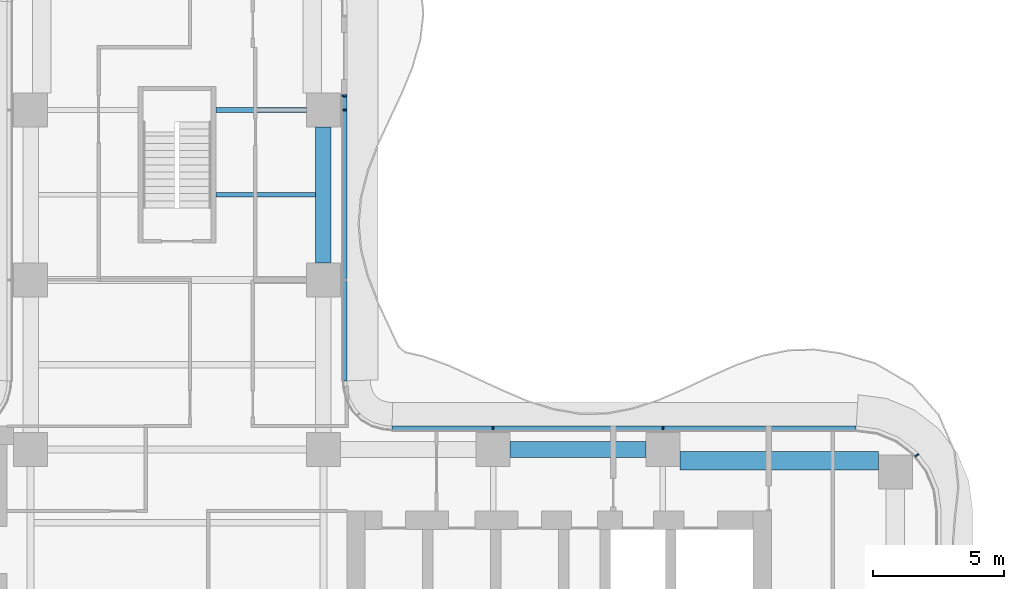
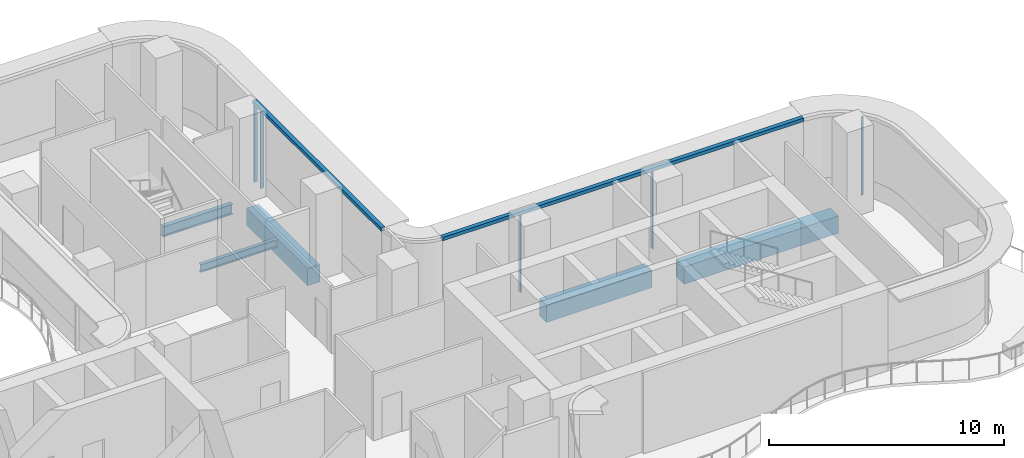
# One storey, part 10 of 20: 7 members, 5 beams, 3 elements without a shape of their own.
"""IFC4 building model written with IfcOpenShell, lengths in metres."""

from ifc_helpers import new_model, si_unit, direction, frame, origin, origin_2d, place, context, subcontext, project, spatial, polyline, rectangle, i_section, outline, extrude, source, transform, mapped, material, layer, layer_set, material_profile, profile_set, type_object, element, aggregate, save


model = new_model("IFC4")

# Units and contexts
model_context = context("Model", 3, precision=1e-05, world=origin(), true_north=direction((0.0, 1.0)))
body_context = subcontext(model_context, "Body", "Model", "MODEL_VIEW")
ifc_project = project(units=[si_unit("LENGTHUNIT", "METRE"), si_unit("AREAUNIT", "SQUARE_METRE"), si_unit("VOLUMEUNIT", "CUBIC_METRE"), si_unit("PLANEANGLEUNIT", "RADIAN"), si_unit("MASSUNIT", "GRAM", prefix="KILO")], contexts=[model_context])

# Site, building, storey
site_placement = place(None, origin())
site = spatial("IfcSite", under=ifc_project, at=site_placement, CompositionType="ELEMENT")
building_placement = place(site_placement, origin())
building = spatial("IfcBuilding", under=site, at=building_placement, Name="Trellis Farm Tower", CompositionType="ELEMENT")
storey_placement = place(building_placement, frame((0.0, 0.0, 129.0)))
storey = spatial("IfcBuildingStorey", under=building, at=storey_placement, Name="L27", CompositionType="ELEMENT", Elevation=129.0)

# Beams
ifc_material_1 = material(Name="Steel S355", Category="steel")
ifc_material_profile_1 = material_profile(ifc_material_1, i_section(OverallWidth=0.177978515625, OverallDepth=0.406494140625, WebThickness=0.0078125, FlangeThickness=0.0126953125, FilletRadius=0.01025390625, at=origin_2d()), Name="UB 406x178x60")
ifc_profile_set_1 = profile_set([ifc_material_profile_1], Name="Steel S355")
beam_type_1 = type_object("IfcBeamType", Name="UB 406x178x60 joist", PredefinedType="JOIST", material=ifc_profile_set_1)
shared_shape_1 = source(origin(), body_context, "Body", "SweptSolid", [
    extrude(i_section(OverallWidth=0.177978515625, OverallDepth=0.406494140625, WebThickness=0.0078125, FlangeThickness=0.0126953125, FilletRadius=0.01025390625, at=origin_2d()), origin(), (0.0, 0.0, 1.0), 3.800048828125),
])
beam_1_placement = place(storey_placement, frame((1.5, 15.35009765625, -0.453125), z_axis=(1.0, 0.0, 0.0), x_axis=(0.0, 1.0, 0.0)))
element("IfcBeam", 1, at=beam_1_placement, inside=storey, type_object=beam_type_1, Name="Floor beam", PredefinedType="JOIST", context=body_context, shape_type="MappedRepresentation", body=[
    mapped(shared_shape_1, transform((0.0, 0.0, 0.0))),
])
ifc_material_profile_2 = material_profile(ifc_material_1, i_section(OverallWidth=0.209228515625, OverallDepth=0.533203125, WebThickness=0.010009765625, FlangeThickness=0.015625, FilletRadius=0.0126953125, at=origin_2d()), Name="UB 533x210x92")
ifc_profile_set_2 = profile_set([ifc_material_profile_2], Name="Steel S355")
beam_type_2 = type_object("IfcBeamType", Name="UB 533x210x92", PredefinedType="BEAM", material=ifc_profile_set_2)
shared_shape_2 = source(origin(), body_context, "Body", "SweptSolid", [
    extrude(i_section(OverallWidth=0.209228515625, OverallDepth=0.533203125, WebThickness=0.010009765625, FlangeThickness=0.015625, FilletRadius=0.0126953125, at=origin_2d()), origin(), (0.0, 0.0, 1.0), 3.449951171875),
])
beam_2_placement = place(storey_placement, frame((1.5, 18.60009765625, -0.5166015625), z_axis=(1.0, 0.0, 0.0), x_axis=(0.0, 1.0, 0.0)))
element("IfcBeam", 2, at=beam_2_placement, inside=storey, type_object=beam_type_2, Name="Girder", PredefinedType="BEAM", context=body_context, shape_type="MappedRepresentation", body=[
    mapped(shared_shape_2, transform((0.0, 0.0, 0.0))),
])
ifc_material_2 = material(Name="Concrete C60/75", Category="concrete")
ifc_material_profile_3 = material_profile(ifc_material_2, rectangle(XDim=0.60009765625, YDim=0.89990234375, at=origin_2d()), Name="RC spandrel beam 600x900 C60/75")
ifc_profile_set_3 = profile_set([ifc_material_profile_3], Name="Concrete C60/75")
beam_type_3 = type_object("IfcBeamType", Name="RC spandrel beam 600x900 C60/75", PredefinedType="SPANDREL", material=ifc_profile_set_3)
shared_shape_3 = source(origin(), body_context, "Body", "SweptSolid", [
    extrude(rectangle(XDim=0.60009765625, YDim=0.89990234375, at=origin_2d()), origin(), (0.0, 0.0, 1.0), 5.199951171875),
])
for number, where, z_axis, x_axis, name in (
    (3, (12.75, 5.60009765625, -0.699951171875), (1.0, 0.0, 0.0), (0.0, 1.0, 0.0), "Girder"),
    (4, (5.60009765625, 12.75, -0.699951171875), (0.0, 1.0, 0.0), (-1.0, 0.0, 0.0), "Girder"),
):
    element("IfcBeam", number, at=place(storey_placement, frame(where, z_axis=z_axis, x_axis=x_axis)), inside=storey, type_object=beam_type_3, Name=name, PredefinedType="SPANDREL", context=body_context, shape_type="MappedRepresentation", body=[
        mapped(shared_shape_3, transform((0.0, 0.0, 0.0))),
    ])
ifc_material_profile_4 = material_profile(ifc_material_2, rectangle(XDim=0.699951171875, YDim=0.89990234375, at=origin_2d()), Name="RC spandrel beam 700x900 C60/75")
ifc_profile_set_4 = profile_set([ifc_material_profile_4], Name="Concrete C60/75")
beam_type_4 = type_object("IfcBeamType", Name="RC spandrel beam 700x900 C60/75", PredefinedType="SPANDREL", material=ifc_profile_set_4)
shared_shape_4 = source(origin(), body_context, "Body", "SweptSolid", [
    extrude(rectangle(XDim=0.699951171875, YDim=0.89990234375, at=origin_2d()), origin(), (0.0, 0.0, 1.0), 7.60009765625),
])
beam_3_placement = place(storey_placement, frame((19.25, 5.175048828125, -0.699951171875), z_axis=(1.0, 0.0, 0.0), x_axis=(0.0, 1.0, 0.0)))
element("IfcBeam", 5, at=beam_3_placement, inside=storey, type_object=beam_type_4, Name="Girder", PredefinedType="SPANDREL", context=body_context, shape_type="MappedRepresentation", body=[
    mapped(shared_shape_4, transform((0.0, 0.0, 0.0))),
])

# Curtain wall, member
ifc_material_3 = material(Name="Aluminium and glass curtain wall", Category="aluminium")
ifc_layer_1 = layer(ifc_material_3, 0.18994140625)
ifc_layer_set_1 = layer_set([ifc_layer_1], Name="RIBBON CURTAIN WALL CW1")
curtain_wall_type = type_object("IfcCurtainWallType", Name="RIBBON CURTAIN WALL CW1", PredefinedType="NOTDEFINED", material=ifc_layer_set_1)
placement_1 = place(storey_placement, origin())
curtain_wall_1 = element("IfcCurtainWall", 6, at=placement_1, inside=storey, type_object=curtain_wall_type, Name="CW1 006", PredefinedType="NOTDEFINED")
ifc_material_4 = material(Name="Aluminium extrusion 6063-T6", Category="aluminium")
ifc_material_profile_5 = material_profile(ifc_material_4, rectangle(XDim=0.06005859375, YDim=0.14990234375, at=origin_2d()), Name="MULLION 60x150")
ifc_profile_set_5 = profile_set([ifc_material_profile_5], Name="Aluminium extrusion 6063-T6")
member_type_1 = type_object("IfcMemberType", Name="CW1 MULLION 60x150", PredefinedType="MULLION", material=ifc_profile_set_5)
shared_shape_5 = source(origin(), body_context, "Body", "SweptSolid", [
    extrude(rectangle(XDim=0.06005859375, YDim=0.14990234375, at=origin_2d()), origin(), (0.0, 0.0, 1.0), 4.070068359375),
])
member_1_placement = place(storey_placement, frame((28.328369140625, 5.385498046875, 0.0), z_axis=(0.0, 0.0, 1.0), x_axis=(-0.608761429009, 0.793353340291, 0.0)))
member_1 = element("IfcMember", 7, at=member_1_placement, type_object=member_type_1, Name="MU1 006-02", PredefinedType="MULLION", context=body_context, shape_type="MappedRepresentation", body=[
    mapped(shared_shape_5, transform((0.0, 0.0, 0.0))),
])
aggregate(curtain_wall_1, [member_1])

# Curtain wall, members
curtain_wall_2 = element("IfcCurtainWall", 8, at=placement_1, inside=storey, type_object=curtain_wall_type, Name="CW1 007", PredefinedType="NOTDEFINED")
member_2_placement = place(storey_placement, frame((18.60009765625, 6.425048828125, 0.0), z_axis=(0.0, 0.0, 1.0), x_axis=(-1.0, 0.0, 0.0)))
member_2 = element("IfcMember", 9, at=member_2_placement, type_object=member_type_1, Name="MU1 007-01", PredefinedType="MULLION", context=body_context, shape_type="MappedRepresentation", body=[
    mapped(shared_shape_5, transform((0.0, 0.0, 0.0))),
])
member_3_placement = place(storey_placement, frame((12.10009765625, 6.425048828125, 0.0), z_axis=(0.0, 0.0, 1.0), x_axis=(-1.0, 0.0, 0.0)))
member_3 = element("IfcMember", 10, at=member_3_placement, type_object=member_type_1, Name="MU1 007-02", PredefinedType="MULLION", context=body_context, shape_type="MappedRepresentation", body=[
    mapped(shared_shape_5, transform((0.0, 0.0, 0.0))),
])

curtain_wall_3 = element("IfcCurtainWall", 11, at=placement_1, inside=storey, type_object=curtain_wall_type, Name="CW1 008", PredefinedType="NOTDEFINED")
member_4_placement = place(storey_placement, frame((6.425048828125, 18.60009765625, 0.0), z_axis=(0.0, 0.0, 1.0), x_axis=(0.0, 1.0, 0.0)))
member_4 = element("IfcMember", 12, at=member_4_placement, type_object=member_type_1, Name="MU1 008-02", PredefinedType="MULLION", context=body_context, shape_type="MappedRepresentation", body=[
    mapped(shared_shape_5, transform((0.0, 0.0, 0.0))),
])
member_5_placement = place(storey_placement, frame((6.425048828125, 19.14501953125, 0.0), z_axis=(0.0, 0.0, 1.0), x_axis=(0.0, 1.0, 0.0)))
member_5 = element("IfcMember", 13, at=member_5_placement, type_object=member_type_1, Name="MU1 008-03", PredefinedType="MULLION", context=body_context, shape_type="MappedRepresentation", body=[
    mapped(shared_shape_5, transform((0.0, 0.0, 0.0))),
])

# Member
ifc_layer_2 = layer(ifc_material_4, 0.199951171875)
ifc_layer_set_2 = layer_set([ifc_layer_2], Name="Aluminium extrusion 6063-T6")
member_type_2 = type_object("IfcMemberType", Name="CW1 TRANSOM 200x180", PredefinedType="USERDEFINED", material=ifc_layer_set_2)
shared_shape_6 = source(origin(), body_context, "Body", "SweptSolid", [
    extrude(outline(polyline([(26.0, 6.5), (8.2314453125, 6.5), (8.224853515625, 6.300048828125), (25.98681640625, 6.300048828125), (26.0, 6.5)])), origin(), (0.0, 0.0, 1.0), 0.179931640625),
])
placement_2 = place(storey_placement, frame((0.0, 0.0, 4.070068359375)))
member_6 = element("IfcMember", 14, at=placement_2, type_object=member_type_2, Name="TR1 007", ObjectType="TRANSOM", PredefinedType="USERDEFINED", context=body_context, shape_type="MappedRepresentation", body=[
    mapped(shared_shape_6, transform((0.0, 0.0, 0.0))),
])

aggregate(curtain_wall_2, [member_2, member_3, member_6])

shared_shape_7 = source(origin(), body_context, "Body", "SweptSolid", [
    extrude(outline(polyline([(6.5, 8.2314453125), (6.5, 19.175048828125), (6.300048828125, 19.175048828125), (6.300048828125, 8.224853515625), (6.5, 8.2314453125)])), origin(), (0.0, 0.0, 1.0), 0.179931640625),
])
member_7 = element("IfcMember", 15, at=placement_2, type_object=member_type_2, Name="TR1 008", ObjectType="TRANSOM", PredefinedType="USERDEFINED", context=body_context, shape_type="MappedRepresentation", body=[
    mapped(shared_shape_7, transform((0.0, 0.0, 0.0))),
])

aggregate(curtain_wall_3, [member_4, member_5, member_7])

save(model, "model.ifc")
